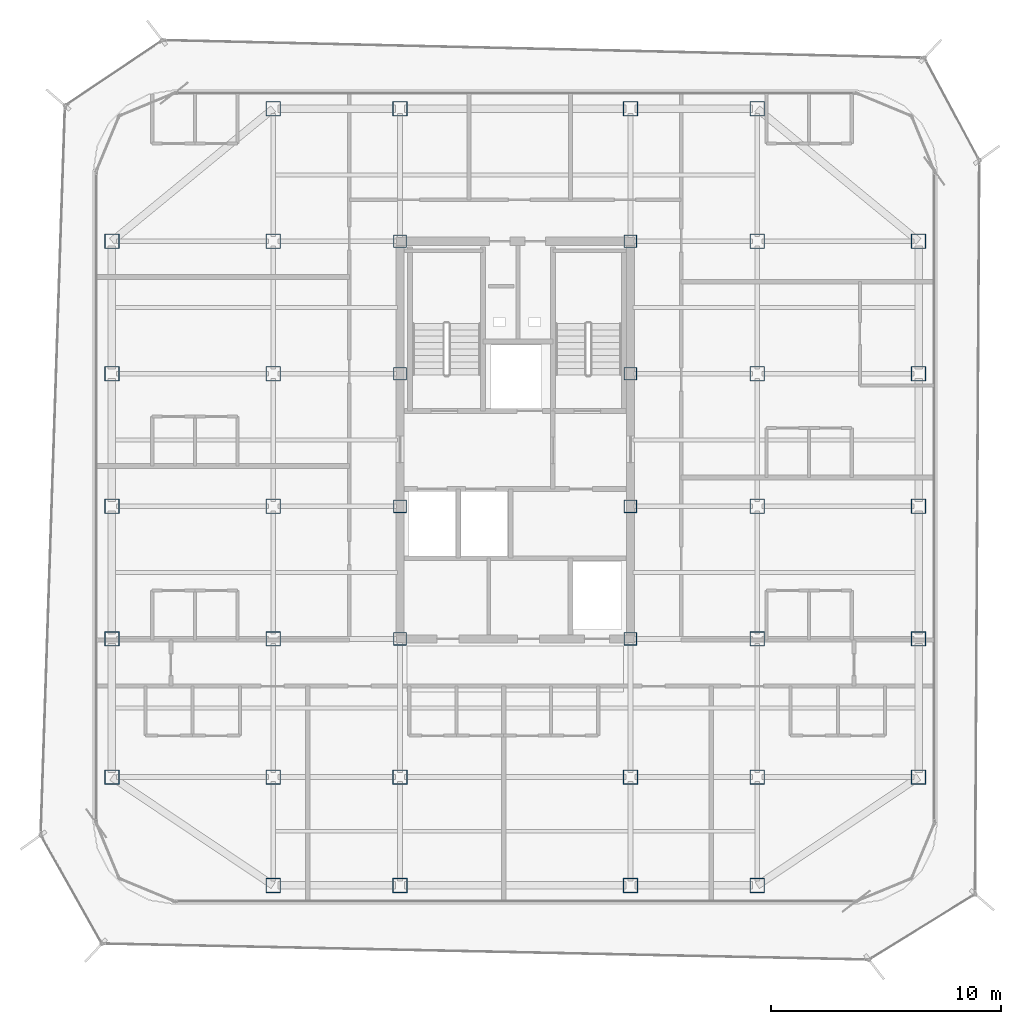
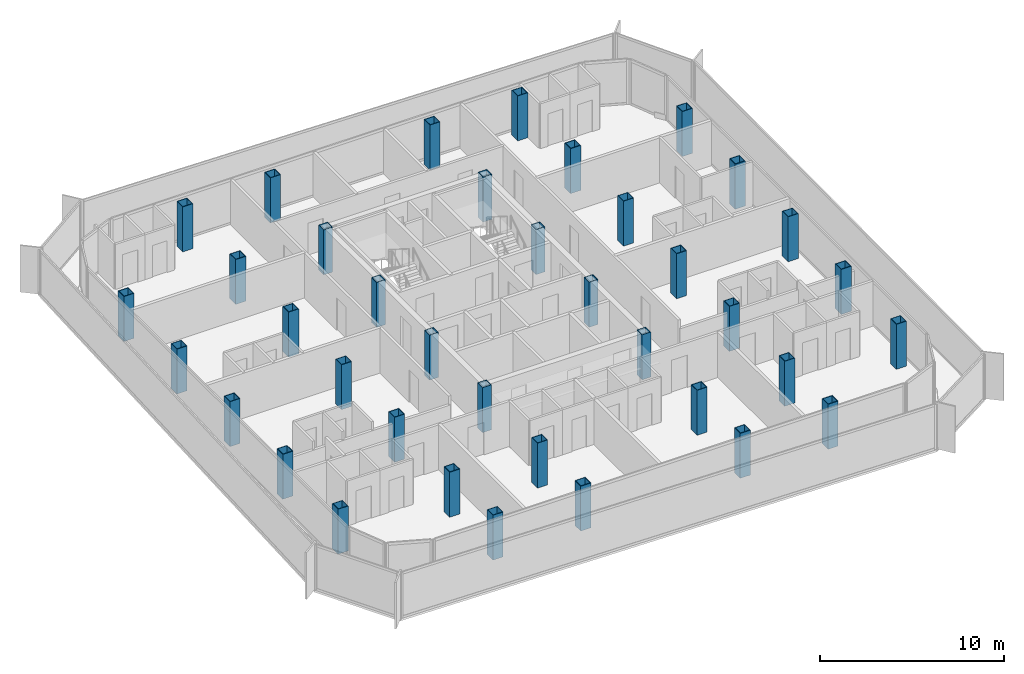
# One storey, part 1 of 16: 38 columns.
"""IFC4 building model written with IfcOpenShell, lengths in metres."""

from ifc_helpers import new_model, si_unit, direction, frame, origin, origin_2d, place, context, subcontext, project, spatial, hollow_rectangle, extrude, source, transform, mapped, material, material_profile, profile_set, type_object, element, save


model = new_model("IFC4")

# Units and contexts
model_context = context("Model", 3, precision=1e-05, world=origin(), true_north=direction((0.0, 1.0)))
body_context = subcontext(model_context, "Body", "Model", "MODEL_VIEW")
ifc_project = project(units=[si_unit("LENGTHUNIT", "METRE"), si_unit("AREAUNIT", "SQUARE_METRE"), si_unit("VOLUMEUNIT", "CUBIC_METRE"), si_unit("PLANEANGLEUNIT", "RADIAN"), si_unit("MASSUNIT", "GRAM", prefix="KILO")], contexts=[model_context])

# Site, building, storey
site_placement = place(None, origin())
site = spatial("IfcSite", under=ifc_project, at=site_placement, CompositionType="ELEMENT")
building_placement = place(site_placement, origin())
building = spatial("IfcBuilding", under=site, at=building_placement, Name="Kolveth Station Tower", CompositionType="ELEMENT")
storey_placement = place(building_placement, frame((0.0, 0.0, 232.89990234375)))
storey = spatial("IfcBuildingStorey", under=building, at=storey_placement, Name="L66", CompositionType="ELEMENT", Elevation=232.89990234375)

# Columns
ifc_material = material(Name="Steel S355", Category="steel")
ifc_material_profile_1 = material_profile(ifc_material, hollow_rectangle(XDim=0.639892578125, YDim=0.639892578125, WallThickness=0.034912109375, at=origin_2d()), Name="BOX640x640x35")
ifc_profile_set_1 = profile_set([ifc_material_profile_1], Name="Steel S355")
column_type_1 = type_object("IfcColumnType", Name="Col_C7", PredefinedType="COLUMN", material=ifc_profile_set_1)
shared_shape_1 = source(origin(), body_context, "Body", "SweptSolid", [
    extrude(hollow_rectangle(XDim=0.639892578125, YDim=0.639892578125, WallThickness=0.034912109375, at=origin_2d()), origin(), (0.0, 0.0, 1.0), 2.97998046875),
])
for number, where, z_axis, x_axis, name in (
    (1, (13.0, 0.800048828125, 0.0), (0.0, 0.0, 1.0), (1.0, 0.0, 0.0), "L66 Tower Column S-X130"),
    (2, (13.0, 34.5, 0.0), (0.0, 0.0, 1.0), (1.0, 0.0, 0.0), "L66 Tower Column N-X130"),
    (3, (18.5, 0.800048828125, 0.0), (0.0, 0.0, 1.0), (1.0, 0.0, 0.0), "L66 Tower Column S-X185"),
    (4, (18.5, 34.5, 0.0), (0.0, 0.0, 1.0), (1.0, 0.0, 0.0), "L66 Tower Column N-X185"),
    (5, (28.5, 0.800048828125, 0.0), (0.0, 0.0, 1.0), (1.0, 0.0, 0.0), "L66 Tower Column S-X285"),
    (6, (28.5, 34.5, 0.0), (0.0, 0.0, 1.0), (1.0, 0.0, 0.0), "L66 Tower Column N-X285"),
    (7, (34.0, 0.800048828125, 0.0), (0.0, 0.0, 1.0), (1.0, 0.0, 0.0), "L66 Tower Column S-X340"),
    (8, (34.0, 34.5, 0.0), (0.0, 0.0, 1.0), (1.0, 0.0, 0.0), "L66 Tower Column N-X340"),
    (9, (6.0, 5.5, 0.0), (0.0, 0.0, 1.0), (1.0, 0.0, 0.0), "L66 Tower Column W-Y55"),
    (10, (41.0, 5.5, 0.0), (0.0, 0.0, 1.0), (1.0, 0.0, 0.0), "L66 Tower Column E-Y55"),
    (11, (6.0, 11.5, 0.0), (0.0, 0.0, 1.0), (1.0, 0.0, 0.0), "L66 Tower Column W-Y115"),
    (12, (41.0, 11.5, 0.0), (0.0, 0.0, 1.0), (1.0, 0.0, 0.0), "L66 Tower Column E-Y115"),
    (13, (6.0, 17.25, 0.0), (0.0, 0.0, 1.0), (1.0, 0.0, 0.0), "L66 Tower Column W-Y172"),
    (14, (41.0, 17.25, 0.0), (0.0, 0.0, 1.0), (1.0, 0.0, 0.0), "L66 Tower Column E-Y172"),
    (15, (6.0, 23.0, 0.0), (0.0, 0.0, 1.0), (1.0, 0.0, 0.0), "L66 Tower Column W-Y230"),
    (16, (41.0, 23.0, 0.0), (0.0, 0.0, 1.0), (1.0, 0.0, 0.0), "L66 Tower Column E-Y230"),
    (17, (6.0, 28.75, 0.0), (0.0, 0.0, 1.0), (1.0, 0.0, 0.0), "L66 Tower Column W-Y287"),
    (18, (41.0, 28.75, 0.0), (0.0, 0.0, 1.0), (1.0, 0.0, 0.0), "L66 Tower Column E-Y287"),
    (19, (13.0, 5.5, 0.0), (0.0, 0.0, 1.0), (1.0, 0.0, 0.0), "L66 Tower Column G-130-55"),
    (20, (13.0, 11.5, 0.0), (0.0, 0.0, 1.0), (1.0, 0.0, 0.0), "L66 Tower Column G-130-115"),
    (21, (13.0, 17.25, 0.0), (0.0, 0.0, 1.0), (1.0, 0.0, 0.0), "L66 Tower Column G-130-172"),
    (22, (13.0, 23.0, 0.0), (0.0, 0.0, 1.0), (1.0, 0.0, 0.0), "L66 Tower Column G-130-230"),
    (23, (13.0, 28.75, 0.0), (0.0, 0.0, 1.0), (1.0, 0.0, 0.0), "L66 Tower Column G-130-287"),
    (24, (18.5, 5.5, 0.0), (0.0, 0.0, 1.0), (1.0, 0.0, 0.0), "L66 Tower Column G-185-55"),
    (25, (28.5, 5.5, 0.0), (0.0, 0.0, 1.0), (1.0, 0.0, 0.0), "L66 Tower Column G-285-55"),
    (26, (34.0, 5.5, 0.0), (0.0, 0.0, 1.0), (1.0, 0.0, 0.0), "L66 Tower Column G-340-55"),
    (27, (34.0, 11.5, 0.0), (0.0, 0.0, 1.0), (1.0, 0.0, 0.0), "L66 Tower Column G-340-115"),
    (28, (34.0, 17.25, 0.0), (0.0, 0.0, 1.0), (1.0, 0.0, 0.0), "L66 Tower Column G-340-172"),
    (29, (34.0, 23.0, 0.0), (0.0, 0.0, 1.0), (1.0, 0.0, 0.0), "L66 Tower Column G-340-230"),
    (30, (34.0, 28.75, 0.0), (0.0, 0.0, 1.0), (1.0, 0.0, 0.0), "L66 Tower Column G-340-287"),
):
    element("IfcColumn", number, at=place(storey_placement, frame(where, z_axis=z_axis, x_axis=x_axis)), inside=storey, type_object=column_type_1, Name=name, PredefinedType="COLUMN", context=body_context, shape_type="MappedRepresentation", body=[
        mapped(shared_shape_1, transform((0.0, 0.0, 0.0), x_axis=(1.0, 0.0, 0.0), y_axis=(0.0, 1.0, 0.0), z_axis=(0.0, 0.0, 1.0), scale=1.0)),
    ])
ifc_material_profile_2 = material_profile(ifc_material, hollow_rectangle(XDim=0.56005859375, YDim=0.56005859375, WallThickness=0.030029296875, at=origin_2d()), Name="BOX560x560x30")
ifc_profile_set_2 = profile_set([ifc_material_profile_2], Name="Steel S355")
column_type_2 = type_object("IfcColumnType", Name="Col_C8", PredefinedType="COLUMN", material=ifc_profile_set_2)
shared_shape_2 = source(origin(), body_context, "Body", "SweptSolid", [
    extrude(hollow_rectangle(XDim=0.56005859375, YDim=0.56005859375, WallThickness=0.030029296875, at=origin_2d()), origin(), (0.0, 0.0, 1.0), 2.97998046875),
])
for number, where, z_axis, x_axis, name in (
    (31, (18.5, 11.5, 0.0), (0.0, 0.0, 1.0), (1.0, 0.0, 0.0), "L66 Tower Column G-185-115"),
    (32, (18.5, 17.25, 0.0), (0.0, 0.0, 1.0), (1.0, 0.0, 0.0), "L66 Tower Column G-185-172"),
    (33, (18.5, 23.0, 0.0), (0.0, 0.0, 1.0), (1.0, 0.0, 0.0), "L66 Tower Column G-185-230"),
    (34, (18.5, 28.75, 0.0), (0.0, 0.0, 1.0), (1.0, 0.0, 0.0), "L66 Tower Column G-185-287"),
    (35, (28.5, 11.5, 0.0), (0.0, 0.0, 1.0), (1.0, 0.0, 0.0), "L66 Tower Column G-285-115"),
    (36, (28.5, 17.25, 0.0), (0.0, 0.0, 1.0), (1.0, 0.0, 0.0), "L66 Tower Column G-285-172"),
    (37, (28.5, 23.0, 0.0), (0.0, 0.0, 1.0), (1.0, 0.0, 0.0), "L66 Tower Column G-285-230"),
    (38, (28.5, 28.75, 0.0), (0.0, 0.0, 1.0), (1.0, 0.0, 0.0), "L66 Tower Column G-285-287"),
):
    element("IfcColumn", number, at=place(storey_placement, frame(where, z_axis=z_axis, x_axis=x_axis)), inside=storey, type_object=column_type_2, Name=name, PredefinedType="COLUMN", context=body_context, shape_type="MappedRepresentation", body=[
        mapped(shared_shape_2, transform((0.0, 0.0, 0.0), x_axis=(1.0, 0.0, 0.0), y_axis=(0.0, 1.0, 0.0), z_axis=(0.0, 0.0, 1.0), scale=1.0)),
    ])

save(model, "model.ifc")
